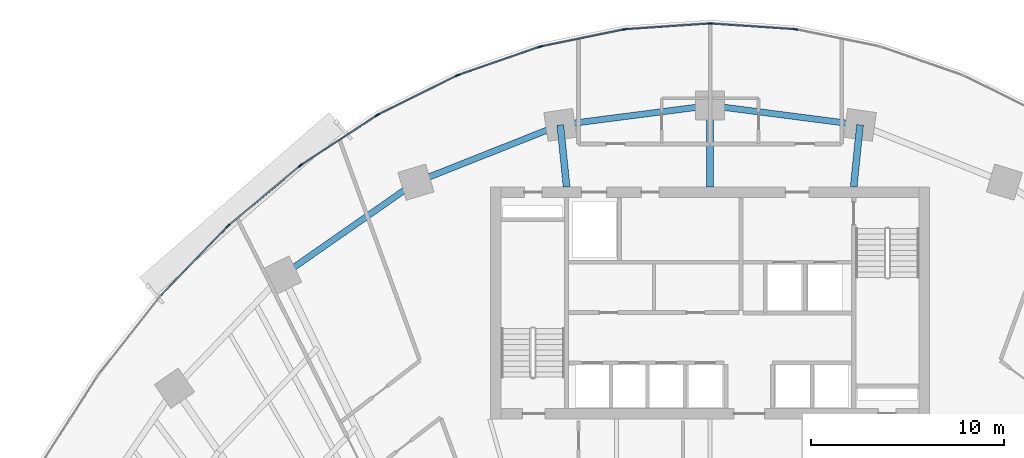
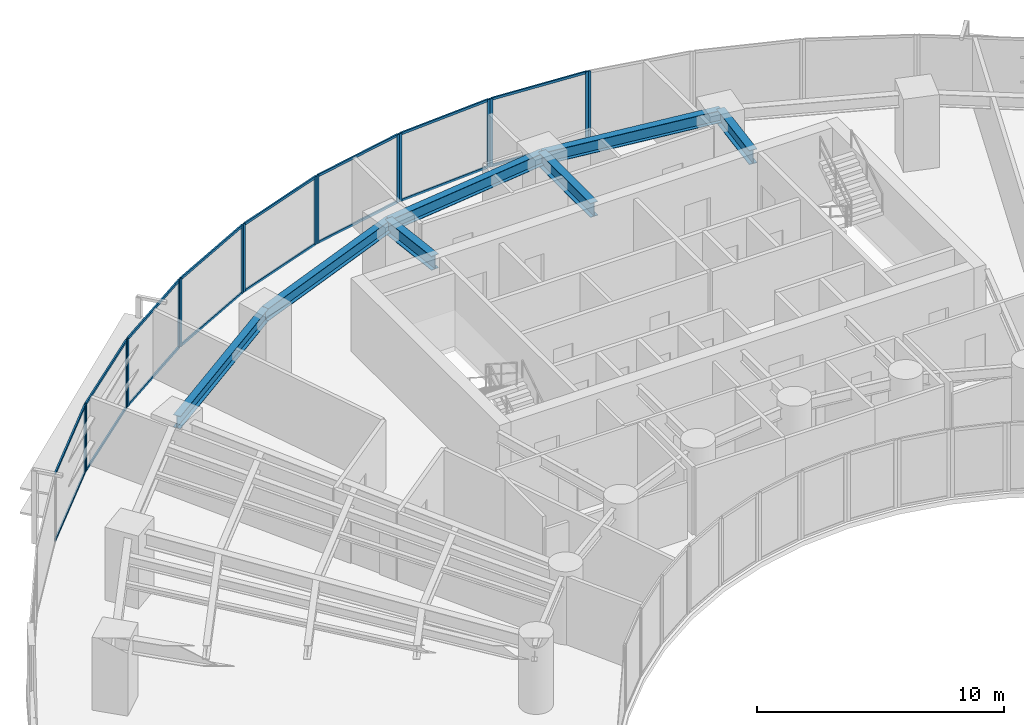
# One storey, part 6 of 17: 32 members, 7 beams, 9 elements without a shape of their own.
"""IFC4 building model written with IfcOpenShell, lengths in metres."""

from ifc_helpers import new_model, si_unit, direction, frame, origin, origin_2d, place, context, subcontext, project, spatial, rectangle, i_section, extrude, source, transform, mapped, material, layer, layer_set, material_profile, profile_set, type_object, element, aggregate, save


model = new_model("IFC4")

# Units and contexts
model_context = context("Model", 3, precision=1e-05, world=origin(), true_north=direction((0.0, 1.0)))
body_context = subcontext(model_context, "Body", "Model", "MODEL_VIEW")
ifc_project = project(units=[si_unit("LENGTHUNIT", "METRE"), si_unit("AREAUNIT", "SQUARE_METRE"), si_unit("VOLUMEUNIT", "CUBIC_METRE"), si_unit("PLANEANGLEUNIT", "RADIAN"), si_unit("MASSUNIT", "GRAM", prefix="KILO")], contexts=[model_context])

# Site, building, storey
site_placement = place(None, origin())
site = spatial("IfcSite", under=ifc_project, at=site_placement, CompositionType="ELEMENT")
building_placement = place(site_placement, origin())
building = spatial("IfcBuilding", under=site, at=building_placement, Name="Breltana Convention Tower", CompositionType="ELEMENT")
storey_placement = place(building_placement, frame((0.0, 0.0, 60.60009765625)))
storey = spatial("IfcBuildingStorey", under=building, at=storey_placement, Name="L13", CompositionType="ELEMENT", Elevation=60.60009765625)

# Beams
ifc_material_1 = material(Name="Steel ASTM A992 Grade 50", Category="steel")
ifc_material_profile_1 = material_profile(ifc_material_1, i_section(OverallWidth=0.323974609375, OverallDepth=0.611083984375, WebThickness=0.0126953125, FlangeThickness=0.01904296875, at=origin_2d()), Name="W24X104")
ifc_profile_set_1 = profile_set([ifc_material_profile_1], Name="Steel ASTM A992 Grade 50")
beam_type_1 = type_object("IfcBeamType", Name="BM-SP-W24X104", PredefinedType="SPANDREL", material=ifc_profile_set_1)
shared_shape_1 = source(origin(), body_context, "Body", "SweptSolid", [
    extrude(i_section(OverallWidth=0.323974609375, OverallDepth=0.611083984375, WebThickness=0.0126953125, FlangeThickness=0.01904296875, at=origin_2d()), origin(), (0.0, 0.0, 1.0), 8.4169921875),
])
beam_1_placement = place(storey_placement, frame((25.8876953125, 67.626953125, 3.054443359375), z_axis=(0.820173800102, 0.572114444519, 0.0), x_axis=(-0.572114444519, 0.820173800102, 0.0)))
element("IfcBeam", 1, at=beam_1_placement, inside=storey, type_object=beam_type_1, Name="L13 Outer Spandrel Beam 03", PredefinedType="SPANDREL", context=body_context, shape_type="MappedRepresentation", body=[
    mapped(shared_shape_1, transform((0.0, 0.0, 0.0), scale=1.0)),
])
shared_shape_2 = source(origin(), body_context, "Body", "SweptSolid", [
    extrude(i_section(OverallWidth=0.323974609375, OverallDepth=0.611083984375, WebThickness=0.0126953125, FlangeThickness=0.01904296875, at=origin_2d()), origin(), (0.0, 0.0, 1.0), 8.028564453125),
])
beam_2_placement = place(storey_placement, frame((32.791015625, 72.4423828125, 3.054443359375), z_axis=(0.929459100394, 0.368925169507, 0.0), x_axis=(-0.368925169507, 0.929459100394, 0.0)))
element("IfcBeam", 2, at=beam_2_placement, inside=storey, type_object=beam_type_1, Name="L13 Outer Spandrel Beam 04", PredefinedType="SPANDREL", context=body_context, shape_type="MappedRepresentation", body=[
    mapped(shared_shape_2, transform((0.0, 0.0, 0.0), scale=1.0)),
])
shared_shape_3 = source(origin(), body_context, "Body", "SweptSolid", [
    extrude(i_section(OverallWidth=0.323974609375, OverallDepth=0.611083984375, WebThickness=0.0126953125, FlangeThickness=0.01904296875, at=origin_2d()), origin(), (0.0, 0.0, 1.0), 7.81103515625),
])
for number, where, z_axis, x_axis, name in (
    (3, (40.253173828125, 75.404296875, 3.054443359375), (0.991775179127, 0.127992164083, 0.0), (-0.127992164083, 0.991775179127, 0.0), "L13 Outer Spandrel Beam 05"),
    (4, (48.0, 76.404052734375, 3.054443359375), (0.991775179127, -0.127992164083, 0.0), (0.127992164083, 0.991775179127, 0.0), "L13 Outer Spandrel Beam 06"),
):
    element("IfcBeam", number, at=place(storey_placement, frame(where, z_axis=z_axis, x_axis=x_axis)), inside=storey, type_object=beam_type_1, Name=name, PredefinedType="SPANDREL", context=body_context, shape_type="MappedRepresentation", body=[
        mapped(shared_shape_3, transform((0.0, 0.0, 0.0), scale=1.0)),
    ])
ifc_material_profile_2 = material_profile(ifc_material_1, i_section(OverallWidth=0.35498046875, OverallDepth=0.696044921875, WebThickness=0.015380859375, FlangeThickness=0.02490234375, at=origin_2d()), Name="W27X146")
ifc_profile_set_2 = profile_set([ifc_material_profile_2], Name="Steel ASTM A992 Grade 50")
beam_type_2 = type_object("IfcBeamType", Name="BM-RG-W27X146", PredefinedType="USERDEFINED", material=ifc_profile_set_2)
shared_shape_4 = source(origin(), body_context, "Body", "SweptSolid", [
    extrude(i_section(OverallWidth=0.35498046875, OverallDepth=0.696044921875, WebThickness=0.015380859375, FlangeThickness=0.02490234375, at=origin_2d()), origin(), (0.0, 0.0, 1.0), 3.220947265625),
])
for number, where, z_axis, x_axis, name in (
    (5, (40.580078125, 72.199951171875, 3.011962890625), (-0.101492254858, 0.994836329355, 0.0), (-0.994836329355, -0.101492254858, 0.0), "L13 North Core Radial Girder R05"),
    (6, (55.419921875, 72.199951171875, 3.011962890625), (0.101492254858, 0.994836329355, 0.0), (-0.994836329355, 0.101492254858, 0.0), "L13 North Core Radial Girder R07"),
):
    element("IfcBeam", number, at=place(storey_placement, frame(where, z_axis=z_axis, x_axis=x_axis)), inside=storey, type_object=beam_type_2, Name=name, ObjectType="GIRDER", PredefinedType="USERDEFINED", context=body_context, shape_type="MappedRepresentation", body=[
        mapped(shared_shape_4, transform((0.0, 0.0, 0.0), scale=1.0)),
    ])
shared_shape_5 = source(origin(), body_context, "Body", "SweptSolid", [
    extrude(i_section(OverallWidth=0.35498046875, OverallDepth=0.696044921875, WebThickness=0.015380859375, FlangeThickness=0.02490234375, at=origin_2d()), origin(), (0.0, 0.0, 1.0), 4.2041015625),
])
beam_3_placement = place(storey_placement, frame((48.0, 72.199951171875, 3.011962890625), z_axis=(0.0, 1.0, 0.0), x_axis=(-1.0, 0.0, 0.0)))
element("IfcBeam", 7, at=beam_3_placement, inside=storey, type_object=beam_type_2, Name="L13 North Core Radial Girder R06", ObjectType="GIRDER", PredefinedType="USERDEFINED", context=body_context, shape_type="MappedRepresentation", body=[
    mapped(shared_shape_5, transform((0.0, 0.0, 0.0), scale=1.0)),
])

# Curtain wall, members
ifc_material_2 = material(Name="Aluminium Anodised Bronze Frame", Category="aluminium")
ifc_layer = layer(ifc_material_2, 0.199951171875, Name="Aluminium Anodised Bronze Frame")
ifc_layer_set = layer_set([ifc_layer], Name="Aluminium Anodised Bronze Frame")
curtain_wall_type = type_object("IfcCurtainWallType", Name="CW-SYS-2", PredefinedType="NOTDEFINED", material=ifc_layer_set)
curtain_wall_1_placement = place(storey_placement, origin())
curtain_wall_1 = element("IfcCurtainWall", 8, at=curtain_wall_1_placement, inside=storey, type_object=curtain_wall_type, Name="L13 outer double-skin inner glazing 3", PredefinedType="NOTDEFINED")
ifc_material_3 = material(Name="Aluminium Anodised Bronze", Category="aluminium")
ifc_material_profile_3 = material_profile(ifc_material_3, rectangle(XDim=0.070068359375, YDim=0.1201171875, at=origin_2d()), Name="CWT-70X120")
ifc_profile_set_3 = profile_set([ifc_material_profile_3], Name="Aluminium Anodised Bronze")
member_type_1 = type_object("IfcMemberType", Name="CWT-120", PredefinedType="USERDEFINED", material=ifc_profile_set_3)
shared_shape_6 = source(origin(), body_context, "Body", "SweptSolid", [
    extrude(rectangle(XDim=0.070068359375, YDim=0.1201171875, at=origin_2d()), origin(), (0.0, 0.0, 1.0), 4.901123046875),
])
member_1_placement = place(storey_placement, frame((19.615478515625, 66.5966796875, 0.034912109375), z_axis=(0.6945945137, 0.719401460617, 0.0), x_axis=(-0.719401460617, 0.6945945137, 0.0)))
member_1 = element("IfcMember", 9, at=member_1_placement, type_object=member_type_1, Name="CW-02 transom 1.1", ObjectType="TRANSOM", PredefinedType="USERDEFINED", context=body_context, shape_type="MappedRepresentation", body=[
    mapped(shared_shape_6, transform((0.0, 0.0, 0.0), scale=1.0)),
])
member_2_placement = place(storey_placement, frame((19.615478515625, 66.5966796875, 3.324951171875), z_axis=(0.6945945137, 0.719401460617, 0.0), x_axis=(-0.719401460617, 0.6945945137, 0.0)))
member_2 = element("IfcMember", 10, at=member_2_placement, type_object=member_type_1, Name="CW-02 transom 1.2", ObjectType="TRANSOM", PredefinedType="USERDEFINED", context=body_context, shape_type="MappedRepresentation", body=[
    mapped(shared_shape_6, transform((0.0, 0.0, 0.0), scale=1.0)),
])

curtain_wall_2_placement = place(storey_placement, origin())
curtain_wall_2 = element("IfcCurtainWall", 11, at=curtain_wall_2_placement, inside=storey, type_object=curtain_wall_type, Name="L13 outer double-skin inner glazing 4", PredefinedType="NOTDEFINED")
shared_shape_7 = source(origin(), body_context, "Body", "SweptSolid", [
    extrude(rectangle(XDim=0.070068359375, YDim=0.1201171875, at=origin_2d()), origin(), (0.0, 0.0, 1.0), 4.7509765625),
])
member_3_placement = place(storey_placement, frame((23.1220703125, 70.2177734375, 0.034912109375), z_axis=(0.767951631807, 0.64050783852, 0.0), x_axis=(-0.64050783852, 0.767951631807, 0.0)))
member_3 = element("IfcMember", 12, at=member_3_placement, type_object=member_type_1, Name="CW-02 transom 1.1", ObjectType="TRANSOM", PredefinedType="USERDEFINED", context=body_context, shape_type="MappedRepresentation", body=[
    mapped(shared_shape_7, transform((0.0, 0.0, 0.0), scale=1.0)),
])
member_4_placement = place(storey_placement, frame((23.1220703125, 70.2177734375, 3.324951171875), z_axis=(0.767951631807, 0.64050783852, 0.0), x_axis=(-0.64050783852, 0.767951631807, 0.0)))
member_4 = element("IfcMember", 13, at=member_4_placement, type_object=member_type_1, Name="CW-02 transom 1.2", ObjectType="TRANSOM", PredefinedType="USERDEFINED", context=body_context, shape_type="MappedRepresentation", body=[
    mapped(shared_shape_7, transform((0.0, 0.0, 0.0), scale=1.0)),
])

curtain_wall_3_placement = place(storey_placement, origin())
curtain_wall_3 = element("IfcCurtainWall", 14, at=curtain_wall_3_placement, inside=storey, type_object=curtain_wall_type, Name="L13 outer double-skin inner glazing 5", PredefinedType="NOTDEFINED")
shared_shape_8 = source(origin(), body_context, "Body", "SweptSolid", [
    extrude(rectangle(XDim=0.070068359375, YDim=0.1201171875, at=origin_2d()), origin(), (0.0, 0.0, 1.0), 4.610595703125),
])
member_5_placement = place(storey_placement, frame((26.8828125, 73.343994140625, 0.034912109375), z_axis=(0.835956055104, 0.54879638659, 0.0), x_axis=(-0.54879638659, 0.835956055104, 0.0)))
member_5 = element("IfcMember", 15, at=member_5_placement, type_object=member_type_1, Name="CW-02 transom 1.1", ObjectType="TRANSOM", PredefinedType="USERDEFINED", context=body_context, shape_type="MappedRepresentation", body=[
    mapped(shared_shape_8, transform((0.0, 0.0, 0.0), scale=1.0)),
])
member_6_placement = place(storey_placement, frame((26.8828125, 73.343994140625, 3.324951171875), z_axis=(0.835956055104, 0.54879638659, 0.0), x_axis=(-0.54879638659, 0.835956055104, 0.0)))
member_6 = element("IfcMember", 16, at=member_6_placement, type_object=member_type_1, Name="CW-02 transom 1.2", ObjectType="TRANSOM", PredefinedType="USERDEFINED", context=body_context, shape_type="MappedRepresentation", body=[
    mapped(shared_shape_8, transform((0.0, 0.0, 0.0), scale=1.0)),
])

curtain_wall_4_placement = place(storey_placement, origin())
curtain_wall_4 = element("IfcCurtainWall", 17, at=curtain_wall_4_placement, inside=storey, type_object=curtain_wall_type, Name="L13 outer double-skin inner glazing 6", PredefinedType="NOTDEFINED")
shared_shape_9 = source(origin(), body_context, "Body", "SweptSolid", [
    extrude(rectangle(XDim=0.070068359375, YDim=0.1201171875, at=origin_2d()), origin(), (0.0, 0.0, 1.0), 4.487548828125),
])
member_7_placement = place(storey_placement, frame((30.8583984375, 75.94384765625, 0.034912109375), z_axis=(0.895977728863, 0.444098986017, 0.0), x_axis=(-0.444098986017, 0.895977728863, 0.0)))
member_7 = element("IfcMember", 18, at=member_7_placement, type_object=member_type_1, Name="CW-02 transom 1.1", ObjectType="TRANSOM", PredefinedType="USERDEFINED", context=body_context, shape_type="MappedRepresentation", body=[
    mapped(shared_shape_9, transform((0.0, 0.0, 0.0), scale=1.0)),
])
member_8_placement = place(storey_placement, frame((30.8583984375, 75.94384765625, 3.324951171875), z_axis=(0.895977728863, 0.444098986017, 0.0), x_axis=(-0.444098986017, 0.895977728863, 0.0)))
member_8 = element("IfcMember", 19, at=member_8_placement, type_object=member_type_1, Name="CW-02 transom 1.2", ObjectType="TRANSOM", PredefinedType="USERDEFINED", context=body_context, shape_type="MappedRepresentation", body=[
    mapped(shared_shape_9, transform((0.0, 0.0, 0.0), scale=1.0)),
])

curtain_wall_5_placement = place(storey_placement, origin())
curtain_wall_5 = element("IfcCurtainWall", 20, at=curtain_wall_5_placement, inside=storey, type_object=curtain_wall_type, Name="L13 outer double-skin inner glazing 7", PredefinedType="NOTDEFINED")
shared_shape_10 = source(origin(), body_context, "Body", "SweptSolid", [
    extrude(rectangle(XDim=0.070068359375, YDim=0.1201171875, at=origin_2d()), origin(), (0.0, 0.0, 1.0), 4.38818359375),
])
member_9_placement = place(storey_placement, frame((35.008056640625, 77.99072265625, 0.034912109375), z_axis=(0.944878203019, 0.32742202348, 0.0), x_axis=(-0.32742202348, 0.944878203019, 0.0)))
member_9 = element("IfcMember", 21, at=member_9_placement, type_object=member_type_1, Name="CW-02 transom 1.1", ObjectType="TRANSOM", PredefinedType="USERDEFINED", context=body_context, shape_type="MappedRepresentation", body=[
    mapped(shared_shape_10, transform((0.0, 0.0, 0.0), scale=1.0)),
])
member_10_placement = place(storey_placement, frame((35.008056640625, 77.99072265625, 3.324951171875), z_axis=(0.944878203019, 0.32742202348, 0.0), x_axis=(-0.32742202348, 0.944878203019, 0.0)))
member_10 = element("IfcMember", 22, at=member_10_placement, type_object=member_type_1, Name="CW-02 transom 1.2", ObjectType="TRANSOM", PredefinedType="USERDEFINED", context=body_context, shape_type="MappedRepresentation", body=[
    mapped(shared_shape_10, transform((0.0, 0.0, 0.0), scale=1.0)),
])

curtain_wall_6_placement = place(storey_placement, origin())
curtain_wall_6 = element("IfcCurtainWall", 23, at=curtain_wall_6_placement, inside=storey, type_object=curtain_wall_type, Name="L13 outer double-skin inner glazing 8", PredefinedType="NOTDEFINED")
shared_shape_11 = source(origin(), body_context, "Body", "SweptSolid", [
    extrude(rectangle(XDim=0.070068359375, YDim=0.1201171875, at=origin_2d()), origin(), (0.0, 0.0, 1.0), 4.318359375),
])
member_11_placement = place(storey_placement, frame((39.2890625, 79.464599609375, 0.034912109375), z_axis=(0.979616680923, 0.200875977799, 0.0), x_axis=(-0.200875977799, 0.979616680923, 0.0)))
member_11 = element("IfcMember", 24, at=member_11_placement, type_object=member_type_1, Name="CW-02 transom 1.1", ObjectType="TRANSOM", PredefinedType="USERDEFINED", context=body_context, shape_type="MappedRepresentation", body=[
    mapped(shared_shape_11, transform((0.0, 0.0, 0.0), scale=1.0)),
])
member_12_placement = place(storey_placement, frame((39.2890625, 79.464599609375, 3.324951171875), z_axis=(0.979616680923, 0.200875977799, 0.0), x_axis=(-0.200875977799, 0.979616680923, 0.0)))
member_12 = element("IfcMember", 25, at=member_12_placement, type_object=member_type_1, Name="CW-02 transom 1.2", ObjectType="TRANSOM", PredefinedType="USERDEFINED", context=body_context, shape_type="MappedRepresentation", body=[
    mapped(shared_shape_11, transform((0.0, 0.0, 0.0), scale=1.0)),
])

curtain_wall_7_placement = place(storey_placement, origin())
curtain_wall_7 = element("IfcCurtainWall", 26, at=curtain_wall_7_placement, inside=storey, type_object=curtain_wall_type, Name="L13 outer double-skin inner glazing 9", PredefinedType="NOTDEFINED")
shared_shape_12 = source(origin(), body_context, "Body", "SweptSolid", [
    extrude(rectangle(XDim=0.070068359375, YDim=0.1201171875, at=origin_2d()), origin(), (0.0, 0.0, 1.0), 4.2822265625),
])
member_13_placement = place(storey_placement, frame((43.65771484375, 80.350830078125, 0.034912109375), z_axis=(0.997703698684, 0.067729828231, 0.0), x_axis=(-0.067729828231, 0.997703698684, 0.0)))
member_13 = element("IfcMember", 27, at=member_13_placement, type_object=member_type_1, Name="CW-02 transom 1.1", ObjectType="TRANSOM", PredefinedType="USERDEFINED", context=body_context, shape_type="MappedRepresentation", body=[
    mapped(shared_shape_12, transform((0.0, 0.0, 0.0), scale=1.0)),
])
member_14_placement = place(storey_placement, frame((43.65771484375, 80.350830078125, 3.324951171875), z_axis=(0.997703698684, 0.067729828231, 0.0), x_axis=(-0.067729828231, 0.997703698684, 0.0)))
member_14 = element("IfcMember", 28, at=member_14_placement, type_object=member_type_1, Name="CW-02 transom 1.2", ObjectType="TRANSOM", PredefinedType="USERDEFINED", context=body_context, shape_type="MappedRepresentation", body=[
    mapped(shared_shape_12, transform((0.0, 0.0, 0.0), scale=1.0)),
])

curtain_wall_8_placement = place(storey_placement, origin())
curtain_wall_8 = element("IfcCurtainWall", 29, at=curtain_wall_8_placement, inside=storey, type_object=curtain_wall_type, Name="L13 outer double-skin inner glazing 10", PredefinedType="NOTDEFINED")
member_15_placement = place(storey_placement, frame((48.06982421875, 80.640869140625, 0.034912109375), z_axis=(0.997703698684, -0.067729828231, 0.0), x_axis=(0.067729828231, 0.997703698684, 0.0)))
member_15 = element("IfcMember", 30, at=member_15_placement, type_object=member_type_1, Name="CW-02 transom 1.1", ObjectType="TRANSOM", PredefinedType="USERDEFINED", context=body_context, shape_type="MappedRepresentation", body=[
    mapped(shared_shape_12, transform((0.0, 0.0, 0.0), scale=1.0)),
])
member_16_placement = place(storey_placement, frame((48.06982421875, 80.640869140625, 3.324951171875), z_axis=(0.997703698684, -0.067729828231, 0.0), x_axis=(0.067729828231, 0.997703698684, 0.0)))
member_16 = element("IfcMember", 31, at=member_16_placement, type_object=member_type_1, Name="CW-02 transom 1.2", ObjectType="TRANSOM", PredefinedType="USERDEFINED", context=body_context, shape_type="MappedRepresentation", body=[
    mapped(shared_shape_12, transform((0.0, 0.0, 0.0), scale=1.0)),
])

# Member
ifc_material_profile_4 = material_profile(ifc_material_3, rectangle(XDim=0.070068359375, YDim=0.175048828125, at=origin_2d()), Name="CWM-70X175")
ifc_profile_set_4 = profile_set([ifc_material_profile_4], Name="Aluminium Anodised Bronze")
member_type_2 = type_object("IfcMemberType", Name="CWM-175", PredefinedType="MULLION", material=ifc_profile_set_4)
shared_shape_13 = source(origin(), body_context, "Body", "SweptSolid", [
    extrude(rectangle(XDim=0.070068359375, YDim=0.175048828125, at=origin_2d()), origin(), (0.0, 0.0, 1.0), 3.35986328125),
])
member_17_placement = place(storey_placement, frame((23.044189453125, 70.147705078125, 0.0), z_axis=(0.0, 0.0, 1.0), x_axis=(-0.719386421003, 0.694610090106, 0.0)))
member_17 = element("IfcMember", 32, at=member_17_placement, type_object=member_type_2, Name="CW-02 mullion 2", PredefinedType="MULLION", context=body_context, shape_type="MappedRepresentation", body=[
    mapped(shared_shape_13, transform((0.0, 0.0, 0.0), scale=1.0)),
])

aggregate(curtain_wall_1, [member_17, member_1, member_2])

member_18_placement = place(storey_placement, frame((23.09521484375, 70.1953125, 0.0), z_axis=(0.0, 0.0, 1.0), x_axis=(-0.640520193554, 0.767941326958, 0.0)))
member_18 = element("IfcMember", 33, at=member_18_placement, type_object=member_type_2, Name="CW-02 mullion 1", PredefinedType="MULLION", context=body_context, shape_type="MappedRepresentation", body=[
    mapped(shared_shape_13, transform((0.0, 0.0, 0.0), scale=1.0)),
])

member_19_placement = place(storey_placement, frame((26.79736328125, 73.283203125, 0.0), z_axis=(0.0, 0.0, 1.0), x_axis=(-0.640520193554, 0.767941326958, 0.0)))
member_19 = element("IfcMember", 34, at=member_19_placement, type_object=member_type_2, Name="CW-02 mullion 2", PredefinedType="MULLION", context=body_context, shape_type="MappedRepresentation", body=[
    mapped(shared_shape_13, transform((0.0, 0.0, 0.0), scale=1.0)),
])

aggregate(curtain_wall_2, [member_18, member_19, member_3, member_4])

member_20_placement = place(storey_placement, frame((26.853515625, 73.32470703125, 0.0), z_axis=(0.0, 0.0, 1.0), x_axis=(-0.548784255746, 0.83596401875, 0.0)))
member_20 = element("IfcMember", 35, at=member_20_placement, type_object=member_type_2, Name="CW-02 mullion 1", PredefinedType="MULLION", context=body_context, shape_type="MappedRepresentation", body=[
    mapped(shared_shape_13, transform((0.0, 0.0, 0.0), scale=1.0)),
])

member_21_placement = place(storey_placement, frame((30.766357421875, 75.8935546875, 0.0), z_axis=(0.0, 0.0, 1.0), x_axis=(-0.548784255746, 0.83596401875, 0.0)))
member_21 = element("IfcMember", 36, at=member_21_placement, type_object=member_type_2, Name="CW-02 mullion 2", PredefinedType="MULLION", context=body_context, shape_type="MappedRepresentation", body=[
    mapped(shared_shape_13, transform((0.0, 0.0, 0.0), scale=1.0)),
])

aggregate(curtain_wall_3, [member_20, member_21, member_5, member_6])

member_22_placement = place(storey_placement, frame((30.8271484375, 75.92822265625, 0.0), z_axis=(0.0, 0.0, 1.0), x_axis=(-0.444107703726, 0.895973407804, 0.0)))
member_22 = element("IfcMember", 37, at=member_22_placement, type_object=member_type_2, Name="CW-02 mullion 1", PredefinedType="MULLION", context=body_context, shape_type="MappedRepresentation", body=[
    mapped(shared_shape_13, transform((0.0, 0.0, 0.0), scale=1.0)),
])

member_23_placement = place(storey_placement, frame((34.910400390625, 77.9521484375, 0.0), z_axis=(0.0, 0.0, 1.0), x_axis=(-0.444107703726, 0.895973407804, 0.0)))
member_23 = element("IfcMember", 38, at=member_23_placement, type_object=member_type_2, Name="CW-02 mullion 2", PredefinedType="MULLION", context=body_context, shape_type="MappedRepresentation", body=[
    mapped(shared_shape_13, transform((0.0, 0.0, 0.0), scale=1.0)),
])

aggregate(curtain_wall_4, [member_22, member_23, member_7, member_8])

member_24_placement = place(storey_placement, frame((34.974853515625, 77.979248046875, 0.0), z_axis=(0.0, 0.0, 1.0), x_axis=(-0.32742834581, 0.944876012163, 0.0)))
member_24 = element("IfcMember", 39, at=member_24_placement, type_object=member_type_2, Name="CW-02 mullion 1", PredefinedType="MULLION", context=body_context, shape_type="MappedRepresentation", body=[
    mapped(shared_shape_13, transform((0.0, 0.0, 0.0), scale=1.0)),
])

member_25_placement = place(storey_placement, frame((39.1875, 79.43896484375, 0.0), z_axis=(0.0, 0.0, 1.0), x_axis=(-0.32742834581, 0.944876012163, 0.0)))
member_25 = element("IfcMember", 40, at=member_25_placement, type_object=member_type_2, Name="CW-02 mullion 2", PredefinedType="MULLION", context=body_context, shape_type="MappedRepresentation", body=[
    mapped(shared_shape_13, transform((0.0, 0.0, 0.0), scale=1.0)),
])

aggregate(curtain_wall_5, [member_24, member_25, member_9, member_10])

member_26_placement = place(storey_placement, frame((39.2548828125, 79.45751953125, 0.0), z_axis=(0.0, 0.0, 1.0), x_axis=(-0.200884537139, 0.979614925743, 0.0)))
member_26 = element("IfcMember", 41, at=member_26_placement, type_object=member_type_2, Name="CW-02 mullion 1", PredefinedType="MULLION", context=body_context, shape_type="MappedRepresentation", body=[
    mapped(shared_shape_13, transform((0.0, 0.0, 0.0), scale=1.0)),
])

member_27_placement = place(storey_placement, frame((43.5537109375, 80.339111328125, 0.0), z_axis=(0.0, 0.0, 1.0), x_axis=(-0.200884537139, 0.979614925743, 0.0)))
member_27 = element("IfcMember", 42, at=member_27_placement, type_object=member_type_2, Name="CW-02 mullion 2", PredefinedType="MULLION", context=body_context, shape_type="MappedRepresentation", body=[
    mapped(shared_shape_13, transform((0.0, 0.0, 0.0), scale=1.0)),
])

aggregate(curtain_wall_6, [member_26, member_27, member_11, member_12])

member_28_placement = place(storey_placement, frame((43.622802734375, 80.348388671875, 0.0), z_axis=(0.0, 0.0, 1.0), x_axis=(-0.067725650529, 0.997703982282, 0.0)))
member_28 = element("IfcMember", 43, at=member_28_placement, type_object=member_type_2, Name="CW-02 mullion 1", PredefinedType="MULLION", context=body_context, shape_type="MappedRepresentation", body=[
    mapped(shared_shape_13, transform((0.0, 0.0, 0.0), scale=1.0)),
])

member_29_placement = place(storey_placement, frame((47.965087890625, 80.643310546875, 0.0), z_axis=(0.0, 0.0, 1.0), x_axis=(-0.067725650529, 0.997703982282, 0.0)))
member_29 = element("IfcMember", 44, at=member_29_placement, type_object=member_type_2, Name="CW-02 mullion 2", PredefinedType="MULLION", context=body_context, shape_type="MappedRepresentation", body=[
    mapped(shared_shape_13, transform((0.0, 0.0, 0.0), scale=1.0)),
])

aggregate(curtain_wall_7, [member_28, member_29, member_13, member_14])

member_30_placement = place(storey_placement, frame((48.034912109375, 80.643310546875, 0.0), z_axis=(0.0, 0.0, 1.0), x_axis=(0.067725650529, 0.997703982282, 0.0)))
member_30 = element("IfcMember", 45, at=member_30_placement, type_object=member_type_2, Name="CW-02 mullion 1", PredefinedType="MULLION", context=body_context, shape_type="MappedRepresentation", body=[
    mapped(shared_shape_13, transform((0.0, 0.0, 0.0), scale=1.0)),
])

member_31_placement = place(storey_placement, frame((52.377197265625, 80.348388671875, 0.0), z_axis=(0.0, 0.0, 1.0), x_axis=(0.067725650529, 0.997703982282, 0.0)))
member_31 = element("IfcMember", 46, at=member_31_placement, type_object=member_type_2, Name="CW-02 mullion 2", PredefinedType="MULLION", context=body_context, shape_type="MappedRepresentation", body=[
    mapped(shared_shape_13, transform((0.0, 0.0, 0.0), scale=1.0)),
])

aggregate(curtain_wall_8, [member_30, member_31, member_15, member_16])

# Curtain wall, member
curtain_wall_9_placement = place(storey_placement, origin())
curtain_wall_9 = element("IfcCurtainWall", 47, at=curtain_wall_9_placement, inside=storey, type_object=curtain_wall_type, Name="L13 outer double-skin inner glazing 11", PredefinedType="NOTDEFINED")
member_32_placement = place(storey_placement, frame((52.4462890625, 80.339111328125, 0.0), z_axis=(0.0, 0.0, 1.0), x_axis=(0.200884537139, 0.979614925743, 0.0)))
member_32 = element("IfcMember", 48, at=member_32_placement, type_object=member_type_2, Name="CW-02 mullion 1", PredefinedType="MULLION", context=body_context, shape_type="MappedRepresentation", body=[
    mapped(shared_shape_13, transform((0.0, 0.0, 0.0), scale=1.0)),
])
aggregate(curtain_wall_9, [member_32])

save(model, "model.ifc")
